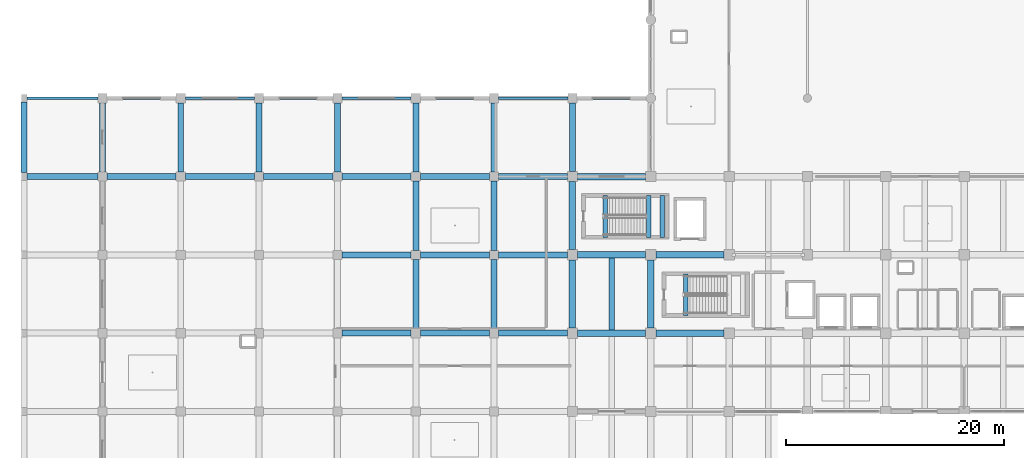
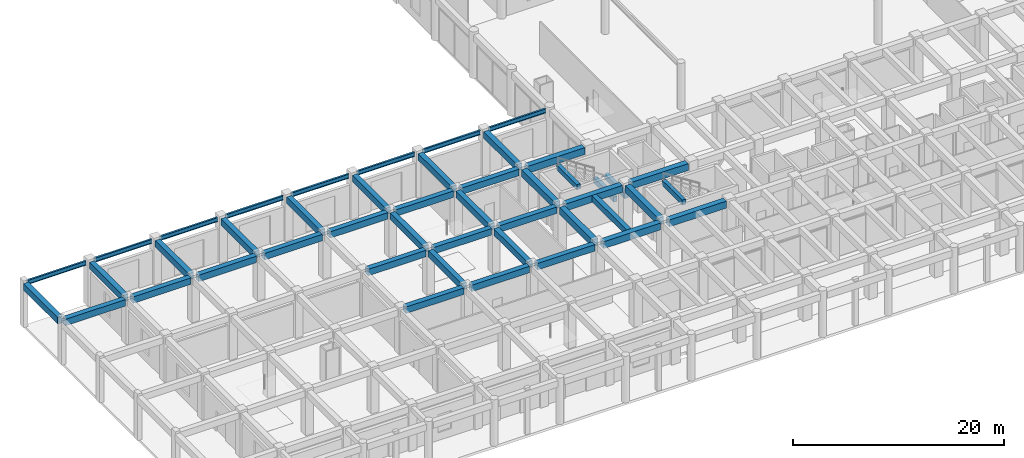
# One storey, part 5 of 56: 46 beams.
"""IFC4 building model written with IfcOpenShell, lengths in metres."""

from ifc_helpers import new_model, si_unit, direction, frame, origin, origin_2d, place, context, subcontext, project, spatial, rectangle, i_section, extrude, material, material_profile, profile_set, type_object, element, save


model = new_model("IFC4")

# Units and contexts
model_context = context("Model", 3, precision=1e-05, world=origin(), true_north=direction((0.0, 1.0)))
body_context = subcontext(model_context, "Body", "Model", "MODEL_VIEW")
ifc_project = project(units=[si_unit("LENGTHUNIT", "METRE"), si_unit("AREAUNIT", "SQUARE_METRE"), si_unit("VOLUMEUNIT", "CUBIC_METRE"), si_unit("PLANEANGLEUNIT", "RADIAN"), si_unit("MASSUNIT", "GRAM", prefix="KILO")], contexts=[model_context])

# Site, building, storey
site_placement = place(None, origin())
site = spatial("IfcSite", under=ifc_project, at=site_placement, CompositionType="ELEMENT")
building_placement = place(site_placement, origin())
building = spatial("IfcBuilding", under=site, at=building_placement, Name="Kazehaya Institute of Natural Sciences", CompositionType="ELEMENT")
storey_placement = place(building_placement, origin())
storey = spatial("IfcBuildingStorey", under=building, at=storey_placement, Name="L00", CompositionType="ELEMENT", Elevation=0.0)

# Beams
ifc_material_1 = material(Name="Concrete Fc36", Category="concrete")
ifc_material_profile_1 = material_profile(ifc_material_1, rectangle(XDim=0.39990234375, YDim=0.60009765625, at=origin_2d()), Name="RC-400x600")
ifc_profile_set_1 = profile_set([ifc_material_profile_1], Name="Concrete Fc36")
beam_type_1 = type_object("IfcBeamType", Name="BM-B-400x600", PredefinedType="BEAM", material=ifc_profile_set_1)
beam_1_placement = place(storey_placement, frame((65.0, 22.820068359375, 5.10009765625), z_axis=(0.0, 1.0, 0.0), x_axis=(-1.0, 0.0, 0.0)))
element("IfcBeam", 1, at=beam_1_placement, inside=storey, type_object=beam_type_1, Name="L01 ST-1 stair header trimmer beam", PredefinedType="BEAM", context=body_context, shape_type="SweptSolid", body=[
    extrude(rectangle(XDim=0.39990234375, YDim=0.60009765625, at=origin_2d()), origin(), (0.0, 0.0, 1.0), 3.83984375),
])
for number, where, z_axis, x_axis, name in (
    (2, (57.60009765625, 30.02001953125, 5.10009765625), (0.0, 1.0, 0.0), (-1.0, 0.0, 0.0), "L01 ST-4 stair header trimmer beam"),
    (3, (61.6298828125, 30.02001953125, 2.239990234375), (0.0, 1.0, 0.0), (-1.0, 0.0, 0.0), "L00 ST-4 landing beam 1"),
    (4, (62.85009765625, 30.02001953125, 2.239990234375), (0.0, 1.0, 0.0), (-1.0, 0.0, 0.0), "L00 ST-4 landing beam 2"),
):
    element("IfcBeam", number, at=place(storey_placement, frame(where, z_axis=z_axis, x_axis=x_axis)), inside=storey, type_object=beam_type_1, Name=name, PredefinedType="BEAM", context=body_context, shape_type="SweptSolid", body=[
        extrude(rectangle(XDim=0.39990234375, YDim=0.60009765625, at=origin_2d()), origin(), (0.0, 0.0, 1.0), 3.840087890625),
    ])
ifc_material_profile_2 = material_profile(ifc_material_1, rectangle(XDim=0.550048828125, YDim=0.75, at=origin_2d()), Name="RC-550x750")
ifc_profile_set_2 = profile_set([ifc_material_profile_2], Name="Concrete Fc36")
beam_type_2 = type_object("IfcBeamType", Name="BM-G-550x750", PredefinedType="BEAM", material=ifc_profile_set_2)
beam_2_placement = place(storey_placement, frame((33.425048828125, 21.199951171875, 4.7548828125), z_axis=(1.0, 0.0, 0.0), x_axis=(0.0, 1.0, 0.0)))
element("IfcBeam", 5, at=beam_2_placement, inside=storey, type_object=beam_type_2, Name="L00 primary X girder BMX-L00-330-212", PredefinedType="BEAM", context=body_context, shape_type="SweptSolid", body=[
    extrude(rectangle(XDim=0.550048828125, YDim=0.75, at=origin_2d()), origin(), (0.0, 0.0, 1.0), 6.349853515625),
])
beam_3_placement = place(storey_placement, frame((40.625, 21.199951171875, 4.7548828125), z_axis=(1.0, 0.0, 0.0), x_axis=(0.0, 1.0, 0.0)))
element("IfcBeam", 6, at=beam_3_placement, inside=storey, type_object=beam_type_2, Name="L00 primary X girder BMX-L00-402-212", PredefinedType="BEAM", context=body_context, shape_type="SweptSolid", body=[
    extrude(rectangle(XDim=0.550048828125, YDim=0.75, at=origin_2d()), origin(), (0.0, 0.0, 1.0), 6.35009765625),
])
beam_4_placement = place(storey_placement, frame((47.824951171875, 21.199951171875, 4.7548828125), z_axis=(1.0, 0.0, 0.0), x_axis=(0.0, 1.0, 0.0)))
element("IfcBeam", 7, at=beam_4_placement, inside=storey, type_object=beam_type_2, Name="L00 primary X girder BMX-L00-474-212", PredefinedType="BEAM", context=body_context, shape_type="SweptSolid", body=[
    extrude(rectangle(XDim=0.550048828125, YDim=0.75, at=origin_2d()), origin(), (0.0, 0.0, 1.0), 6.300048828125),
])
beam_5_placement = place(storey_placement, frame((33.425048828125, 28.39990234375, 4.7548828125), z_axis=(1.0, 0.0, 0.0), x_axis=(0.0, 1.0, 0.0)))
element("IfcBeam", 8, at=beam_5_placement, inside=storey, type_object=beam_type_2, Name="L00 primary X girder BMX-L00-330-284", PredefinedType="BEAM", context=body_context, shape_type="SweptSolid", body=[
    extrude(rectangle(XDim=0.550048828125, YDim=0.75, at=origin_2d()), origin(), (0.0, 0.0, 1.0), 6.349853515625),
])
beam_6_placement = place(storey_placement, frame((40.625, 28.39990234375, 4.7548828125), z_axis=(1.0, 0.0, 0.0), x_axis=(0.0, 1.0, 0.0)))
element("IfcBeam", 9, at=beam_6_placement, inside=storey, type_object=beam_type_2, Name="L00 primary X girder BMX-L00-402-284", PredefinedType="BEAM", context=body_context, shape_type="SweptSolid", body=[
    extrude(rectangle(XDim=0.550048828125, YDim=0.75, at=origin_2d()), origin(), (0.0, 0.0, 1.0), 6.35009765625),
])
beam_7_placement = place(storey_placement, frame((47.824951171875, 28.39990234375, 4.7548828125), z_axis=(1.0, 0.0, 0.0), x_axis=(0.0, 1.0, 0.0)))
element("IfcBeam", 10, at=beam_7_placement, inside=storey, type_object=beam_type_2, Name="L00 primary X girder BMX-L00-474-284", PredefinedType="BEAM", context=body_context, shape_type="SweptSolid", body=[
    extrude(rectangle(XDim=0.550048828125, YDim=0.75, at=origin_2d()), origin(), (0.0, 0.0, 1.0), 6.300048828125),
])
beam_8_placement = place(storey_placement, frame((4.449951171875, 35.60009765625, 4.7548828125), z_axis=(1.0, 0.0, 0.0), x_axis=(0.0, 1.0, 0.0)))
element("IfcBeam", 11, at=beam_8_placement, inside=storey, type_object=beam_type_2, Name="L00 primary X girder BMX-L00-42-356", PredefinedType="BEAM", context=body_context, shape_type="SweptSolid", body=[
    extrude(rectangle(XDim=0.550048828125, YDim=0.75, at=origin_2d()), origin(), (0.0, 0.0, 1.0), 6.525146484375),
])
for number, where, z_axis, x_axis, name in (
    (12, (11.824951171875, 35.60009765625, 4.7548828125), (1.0, 0.0, 0.0), (0.0, 1.0, 0.0), "L00 primary X girder BMX-L00-114-356"),
    (13, (19.02490234375, 35.60009765625, 4.7548828125), (1.0, 0.0, 0.0), (0.0, 1.0, 0.0), "L00 primary X girder BMX-L00-186-356"),
):
    element("IfcBeam", number, at=place(storey_placement, frame(where, z_axis=z_axis, x_axis=x_axis)), inside=storey, type_object=beam_type_2, Name=name, PredefinedType="BEAM", context=body_context, shape_type="SweptSolid", body=[
        extrude(rectangle(XDim=0.550048828125, YDim=0.75, at=origin_2d()), origin(), (0.0, 0.0, 1.0), 6.35009765625),
    ])
for number, where, z_axis, x_axis, name in (
    (14, (26.22509765625, 35.60009765625, 4.7548828125), (1.0, 0.0, 0.0), (0.0, 1.0, 0.0), "L00 primary X girder BMX-L00-258-356"),
    (15, (33.425048828125, 35.60009765625, 4.7548828125), (1.0, 0.0, 0.0), (0.0, 1.0, 0.0), "L00 primary X girder BMX-L00-330-356"),
):
    element("IfcBeam", number, at=place(storey_placement, frame(where, z_axis=z_axis, x_axis=x_axis)), inside=storey, type_object=beam_type_2, Name=name, PredefinedType="BEAM", context=body_context, shape_type="SweptSolid", body=[
        extrude(rectangle(XDim=0.550048828125, YDim=0.75, at=origin_2d()), origin(), (0.0, 0.0, 1.0), 6.349853515625),
    ])
beam_9_placement = place(storey_placement, frame((40.625, 35.60009765625, 4.7548828125), z_axis=(1.0, 0.0, 0.0), x_axis=(0.0, 1.0, 0.0)))
element("IfcBeam", 16, at=beam_9_placement, inside=storey, type_object=beam_type_2, Name="L00 primary X girder BMX-L00-402-356", PredefinedType="BEAM", context=body_context, shape_type="SweptSolid", body=[
    extrude(rectangle(XDim=0.550048828125, YDim=0.75, at=origin_2d()), origin(), (0.0, 0.0, 1.0), 6.35009765625),
])
beam_10_placement = place(storey_placement, frame((47.824951171875, 35.60009765625, 4.7548828125), z_axis=(1.0, 0.0, 0.0), x_axis=(0.0, 1.0, 0.0)))
element("IfcBeam", 17, at=beam_10_placement, inside=storey, type_object=beam_type_2, Name="L00 primary X girder BMX-L00-474-356", PredefinedType="BEAM", context=body_context, shape_type="SweptSolid", body=[
    extrude(rectangle(XDim=0.550048828125, YDim=0.75, at=origin_2d()), origin(), (0.0, 0.0, 1.0), 6.300048828125),
])
beam_11_placement = place(storey_placement, frame((4.199951171875, 35.949951171875, 4.7548828125), z_axis=(0.0, 1.0, 0.0), x_axis=(-1.0, 0.0, 0.0)))
element("IfcBeam", 18, at=beam_11_placement, inside=storey, type_object=beam_type_2, Name="L00 primary Y girder BMY-L00-42-356", PredefinedType="BEAM", context=body_context, shape_type="SweptSolid", body=[
    extrude(rectangle(XDim=0.550048828125, YDim=0.75, at=origin_2d()), origin(), (0.0, 0.0, 1.0), 6.5),
])
for number, where, z_axis, x_axis, name in (
    (19, (11.39990234375, 36.02490234375, 4.7548828125), (0.0, 1.0, 0.0), (-1.0, 0.0, 0.0), "L00 primary Y girder BMY-L00-114-356"),
    (20, (18.60009765625, 36.02490234375, 4.7548828125), (0.0, 1.0, 0.0), (-1.0, 0.0, 0.0), "L00 primary Y girder BMY-L00-186-356"),
    (21, (25.800048828125, 36.02490234375, 4.7548828125), (0.0, 1.0, 0.0), (-1.0, 0.0, 0.0), "L00 primary Y girder BMY-L00-258-356"),
    (22, (33.0, 36.02490234375, 4.7548828125), (0.0, 1.0, 0.0), (-1.0, 0.0, 0.0), "L00 primary Y girder BMY-L00-330-356"),
    (23, (40.199951171875, 21.625, 4.7548828125), (0.0, 1.0, 0.0), (-1.0, 0.0, 0.0), "L00 primary Y girder BMY-L00-402-212"),
    (24, (40.199951171875, 28.824951171875, 4.7548828125), (0.0, 1.0, 0.0), (-1.0, 0.0, 0.0), "L00 primary Y girder BMY-L00-402-284"),
    (25, (40.199951171875, 36.02490234375, 4.7548828125), (0.0, 1.0, 0.0), (-1.0, 0.0, 0.0), "L00 primary Y girder BMY-L00-402-356"),
    (26, (47.39990234375, 21.625, 4.7548828125), (0.0, 1.0, 0.0), (-1.0, 0.0, 0.0), "L00 primary Y girder BMY-L00-474-212"),
    (27, (47.39990234375, 28.824951171875, 4.7548828125), (0.0, 1.0, 0.0), (-1.0, 0.0, 0.0), "L00 primary Y girder BMY-L00-474-284"),
    (28, (47.39990234375, 36.02490234375, 4.7548828125), (0.0, 1.0, 0.0), (-1.0, 0.0, 0.0), "L00 primary Y girder BMY-L00-474-356"),
):
    element("IfcBeam", number, at=place(storey_placement, frame(where, z_axis=z_axis, x_axis=x_axis)), inside=storey, type_object=beam_type_2, Name=name, PredefinedType="BEAM", context=body_context, shape_type="SweptSolid", body=[
        extrude(rectangle(XDim=0.550048828125, YDim=0.75, at=origin_2d()), origin(), (0.0, 0.0, 1.0), 6.35009765625),
    ])
beam_12_placement = place(storey_placement, frame((54.60009765625, 36.074951171875, 4.7548828125), z_axis=(0.0, 1.0, 0.0), x_axis=(-1.0, 0.0, 0.0)))
element("IfcBeam", 29, at=beam_12_placement, inside=storey, type_object=beam_type_2, Name="L00 primary Y girder BMY-L00-546-356", PredefinedType="BEAM", context=body_context, shape_type="SweptSolid", body=[
    extrude(rectangle(XDim=0.550048828125, YDim=0.75, at=origin_2d()), origin(), (0.0, 0.0, 1.0), 6.300048828125),
])
ifc_material_profile_3 = material_profile(ifc_material_1, rectangle(XDim=0.60009765625, YDim=0.800048828125, at=origin_2d()), Name="RC-600x800")
ifc_profile_set_3 = profile_set([ifc_material_profile_3], Name="Concrete Fc36")
beam_type_3 = type_object("IfcBeamType", Name="BM-G-600x800", PredefinedType="BEAM", material=ifc_profile_set_3)
for number, where, z_axis, x_axis, name in (
    (30, (55.074951171875, 21.199951171875, 4.72998046875), (1.0, 0.0, 0.0), (0.0, 1.0, 0.0), "L00 primary X girder BMX-L00-546-212"),
    (31, (62.27490234375, 21.199951171875, 4.72998046875), (1.0, 0.0, 0.0), (0.0, 1.0, 0.0), "L00 primary X girder BMX-L00-618-212"),
    (32, (55.074951171875, 28.39990234375, 4.72998046875), (1.0, 0.0, 0.0), (0.0, 1.0, 0.0), "L00 primary X girder BMX-L00-546-284"),
    (33, (62.27490234375, 28.39990234375, 4.72998046875), (1.0, 0.0, 0.0), (0.0, 1.0, 0.0), "L00 primary X girder BMX-L00-618-284"),
    (34, (55.074951171875, 35.60009765625, 4.72998046875), (1.0, 0.0, 0.0), (0.0, 1.0, 0.0), "L00 primary X girder BMX-L00-546-356"),
    (35, (54.60009765625, 21.675048828125, 4.72998046875), (0.0, 1.0, 0.0), (-1.0, 0.0, 0.0), "L00 primary Y girder BMY-L00-546-212"),
    (36, (54.60009765625, 28.875, 4.72998046875), (0.0, 1.0, 0.0), (-1.0, 0.0, 0.0), "L00 primary Y girder BMY-L00-546-284"),
    (37, (61.800048828125, 21.675048828125, 4.72998046875), (0.0, 1.0, 0.0), (-1.0, 0.0, 0.0), "L00 primary Y girder BMY-L00-618-212"),
):
    element("IfcBeam", number, at=place(storey_placement, frame(where, z_axis=z_axis, x_axis=x_axis)), inside=storey, type_object=beam_type_3, Name=name, PredefinedType="BEAM", context=body_context, shape_type="SweptSolid", body=[
        extrude(rectangle(XDim=0.60009765625, YDim=0.800048828125, at=origin_2d()), origin(), (0.0, 0.0, 1.0), 6.25),
    ])
ifc_material_profile_4 = material_profile(ifc_material_1, rectangle(XDim=0.5, YDim=0.699951171875, at=origin_2d()), Name="RC-500x700")
ifc_profile_set_4 = profile_set([ifc_material_profile_4], Name="Concrete Fc36")
beam_type_4 = type_object("IfcBeamType", Name="BM-J-500x700", PredefinedType="JOIST", material=ifc_profile_set_4)
beam_13_placement = place(storey_placement, frame((58.199951171875, 21.5, 4.780029296875), z_axis=(0.0, 1.0, 0.0), x_axis=(-1.0, 0.0, 0.0)))
element("IfcBeam", 38, at=beam_13_placement, inside=storey, type_object=beam_type_4, Name="L00 secondary lab beam JST-L00-0021", PredefinedType="JOIST", context=body_context, shape_type="SweptSolid", body=[
    extrude(rectangle(XDim=0.5, YDim=0.699951171875, at=origin_2d()), origin(), (0.0, 0.0, 1.0), 6.60009765625),
])
ifc_material_2 = material(Name="Structural steel SN490B", Category="steel")
ifc_material_profile_5 = material_profile(ifc_material_2, i_section(OverallWidth=0.199951171875, OverallDepth=0.5, WebThickness=0.010009765625, FlangeThickness=0.01611328125, FilletRadius=0.01611328125, at=origin_2d()), Name="H-500x200x10x16")
ifc_profile_set_5 = profile_set([ifc_material_profile_5], Name="Structural steel SN490B")
beam_type_5 = type_object("IfcBeamType", Name="BM-STL-H500", PredefinedType="BEAM", material=ifc_profile_set_5)
beam_14_placement = place(storey_placement, frame((4.449951171875, 42.800048828125, 4.8798828125), z_axis=(1.0, 0.0, 0.0), x_axis=(0.0, 1.0, 0.0)))
element("IfcBeam", 39, at=beam_14_placement, inside=storey, type_object=beam_type_5, Name="L00 primary X girder BMX-L00-42-428", PredefinedType="BEAM", context=body_context, shape_type="SweptSolid", body=[
    extrude(i_section(OverallWidth=0.199951171875, OverallDepth=0.5, WebThickness=0.010009765625, FlangeThickness=0.01611328125, FilletRadius=0.01611328125, at=origin_2d()), origin(), (0.0, 0.0, 1.0), 6.525146484375),
])
for number, where, z_axis, x_axis, name in (
    (40, (11.824951171875, 42.800048828125, 4.8798828125), (1.0, 0.0, 0.0), (0.0, 1.0, 0.0), "L00 primary X girder BMX-L00-114-428"),
    (41, (19.02490234375, 42.800048828125, 4.8798828125), (1.0, 0.0, 0.0), (0.0, 1.0, 0.0), "L00 primary X girder BMX-L00-186-428"),
):
    element("IfcBeam", number, at=place(storey_placement, frame(where, z_axis=z_axis, x_axis=x_axis)), inside=storey, type_object=beam_type_5, Name=name, PredefinedType="BEAM", context=body_context, shape_type="SweptSolid", body=[
        extrude(i_section(OverallWidth=0.199951171875, OverallDepth=0.5, WebThickness=0.010009765625, FlangeThickness=0.01611328125, FilletRadius=0.01611328125, at=origin_2d()), origin(), (0.0, 0.0, 1.0), 6.35009765625),
    ])
for number, where, z_axis, x_axis, name in (
    (42, (26.22509765625, 42.800048828125, 4.8798828125), (1.0, 0.0, 0.0), (0.0, 1.0, 0.0), "L00 primary X girder BMX-L00-258-428"),
    (43, (33.425048828125, 42.800048828125, 4.8798828125), (1.0, 0.0, 0.0), (0.0, 1.0, 0.0), "L00 primary X girder BMX-L00-330-428"),
):
    element("IfcBeam", number, at=place(storey_placement, frame(where, z_axis=z_axis, x_axis=x_axis)), inside=storey, type_object=beam_type_5, Name=name, PredefinedType="BEAM", context=body_context, shape_type="SweptSolid", body=[
        extrude(i_section(OverallWidth=0.199951171875, OverallDepth=0.5, WebThickness=0.010009765625, FlangeThickness=0.01611328125, FilletRadius=0.01611328125, at=origin_2d()), origin(), (0.0, 0.0, 1.0), 6.349853515625),
    ])
for number, where, z_axis, x_axis, name in (
    (44, (40.625, 42.800048828125, 4.8798828125), (1.0, 0.0, 0.0), (0.0, 1.0, 0.0), "L00 primary X girder BMX-L00-402-428"),
    (45, (47.824951171875, 42.800048828125, 4.8798828125), (1.0, 0.0, 0.0), (0.0, 1.0, 0.0), "L00 primary X girder BMX-L00-474-428"),
):
    element("IfcBeam", number, at=place(storey_placement, frame(where, z_axis=z_axis, x_axis=x_axis)), inside=storey, type_object=beam_type_5, Name=name, PredefinedType="BEAM", context=body_context, shape_type="SweptSolid", body=[
        extrude(i_section(OverallWidth=0.199951171875, OverallDepth=0.5, WebThickness=0.010009765625, FlangeThickness=0.01611328125, FilletRadius=0.01611328125, at=origin_2d()), origin(), (0.0, 0.0, 1.0), 6.35009765625),
    ])
beam_15_placement = place(storey_placement, frame((55.02490234375, 42.800048828125, 4.8798828125), z_axis=(1.0, 0.0, 0.0), x_axis=(0.0, 1.0, 0.0)))
element("IfcBeam", 46, at=beam_15_placement, inside=storey, type_object=beam_type_5, Name="L00 primary X girder BMX-L00-546-428", PredefinedType="BEAM", context=body_context, shape_type="SweptSolid", body=[
    extrude(i_section(OverallWidth=0.199951171875, OverallDepth=0.5, WebThickness=0.010009765625, FlangeThickness=0.01611328125, FilletRadius=0.01611328125, at=origin_2d()), origin(), (0.0, 0.0, 1.0), 6.3251953125),
])

save(model, "model.ifc")
